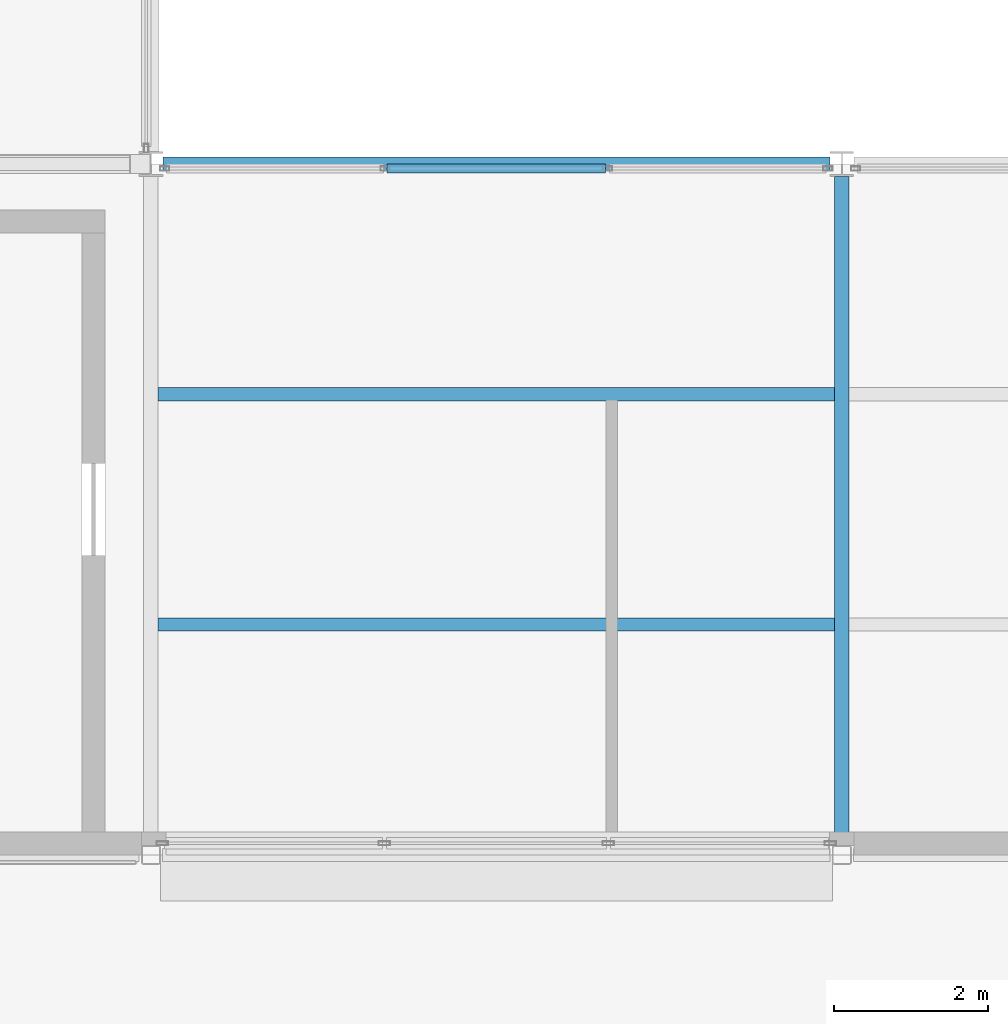
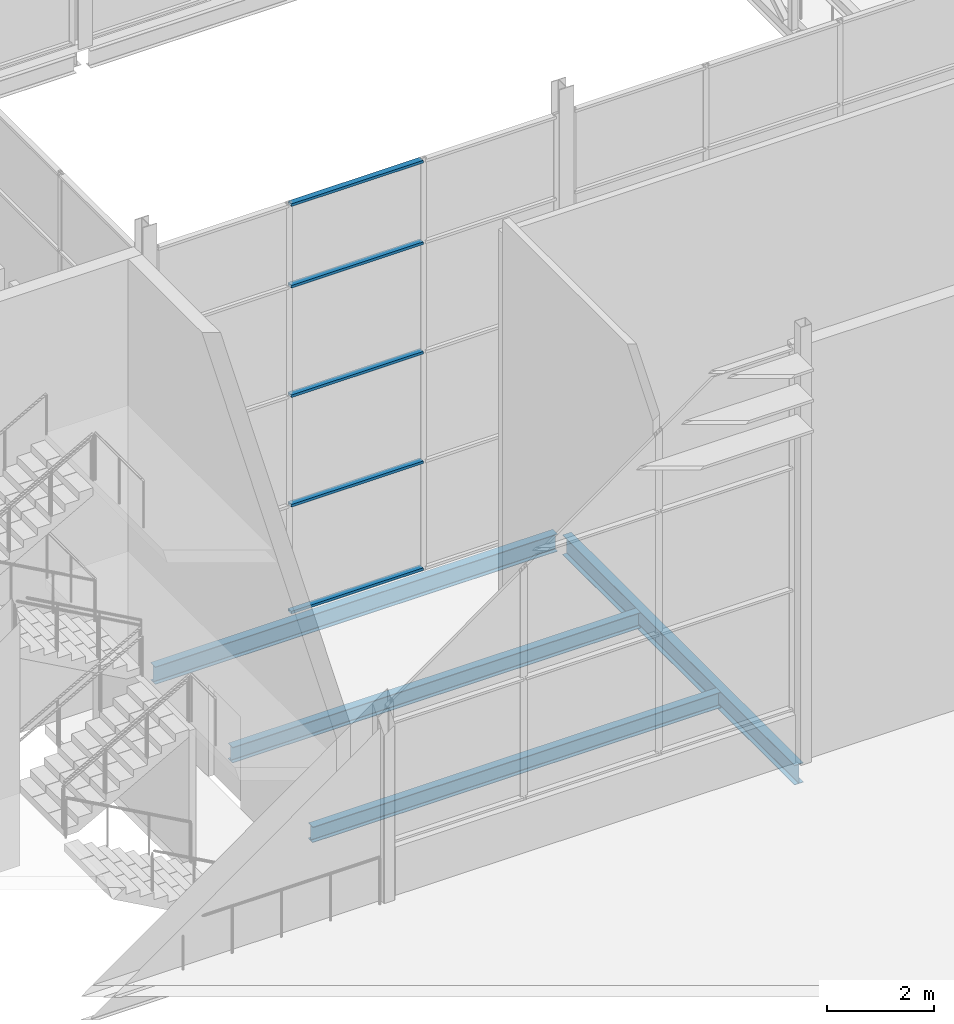
# One storey, part 16 of 111: 5 members, 4 beams, 1 element without a shape of its own.
"""IFC4 building model written with IfcOpenShell, lengths in metres."""

from ifc_helpers import new_model, si_unit, direction, frame, origin, origin_2d, place, context, subcontext, project, spatial, hollow_rectangle, i_section, extrude, material, layer, layer_set, material_profile, profile_set, type_object, element, aggregate, save


model = new_model("IFC4")

# Units and contexts
model_context = context("Model", 3, precision=1e-05, world=origin(), true_north=direction((0.0, 1.0)))
body_context = subcontext(model_context, "Body", "Model", "MODEL_VIEW")
ifc_project = project(units=[si_unit("LENGTHUNIT", "METRE"), si_unit("AREAUNIT", "SQUARE_METRE"), si_unit("VOLUMEUNIT", "CUBIC_METRE"), si_unit("PLANEANGLEUNIT", "RADIAN"), si_unit("MASSUNIT", "GRAM", prefix="KILO")], contexts=[model_context])

# Site, building, storey
site_placement = place(None, origin())
site = spatial("IfcSite", under=ifc_project, at=site_placement, CompositionType="ELEMENT")
building_placement = place(site_placement, origin())
building = spatial("IfcBuilding", under=site, at=building_placement, Name="Shorebreak Coast Museum", CompositionType="ELEMENT")
storey_placement = place(building_placement, frame((0.0, 0.0, 16.0)))
storey = spatial("IfcBuildingStorey", under=building, at=storey_placement, Name="L03", CompositionType="ELEMENT", Elevation=16.0)

# Beams
ifc_material_1 = material(Name="Steel Grade 300", Category="steel")
ifc_material_profile_1 = material_profile(ifc_material_1, i_section(OverallWidth=0.177978515625, OverallDepth=0.402587890625, WebThickness=0.007568359375, FlangeThickness=0.010986328125, FilletRadius=0.011474609375, at=origin_2d()), Name="410UB53.7")
ifc_profile_set_1 = profile_set([ifc_material_profile_1], Name="Steel Grade 300")
beam_type_1 = type_object("IfcBeamType", Name="Floor girder east-west 410UB53.7", PredefinedType="BEAM", material=ifc_profile_set_1)
beam_1_placement = place(storey_placement, frame((63.155517578125, 63.0, -0.376220703125), z_axis=(1.0, 0.0, 0.0), x_axis=(0.0, 1.0, 0.0)))
element("IfcBeam", 1, at=beam_1_placement, inside=storey, type_object=beam_type_1, Name="Floor girder east-west L03 8H", PredefinedType="BEAM", context=body_context, shape_type="SweptSolid", body=[
    extrude(i_section(OverallWidth=0.177978515625, OverallDepth=0.402587890625, WebThickness=0.007568359375, FlangeThickness=0.010986328125, FilletRadius=0.011474609375, at=origin_2d()), origin(), (0.0, 0.0, 1.0), 8.68896484375),
])
ifc_material_2 = material(Name="Steel Grade 300", Category="steel")
ifc_material_profile_2 = material_profile(ifc_material_2, i_section(OverallWidth=0.18994140625, OverallDepth=0.453857421875, WebThickness=0.008544921875, FlangeThickness=0.0126953125, FilletRadius=0.011474609375, at=origin_2d()), Name="460UB67.1")
ifc_profile_set_2 = profile_set([ifc_material_profile_2], Name="Steel Grade 300")
beam_type_2 = type_object("IfcBeamType", Name="Floor girder north-south 460UB67.1", PredefinedType="BEAM", material=ifc_profile_set_2)
beam_2_placement = place(storey_placement, frame((72.0, 54.1572265625, -0.40185546875), z_axis=(0.0, 1.0, 0.0), x_axis=(-1.0, 0.0, 0.0)))
element("IfcBeam", 2, at=beam_2_placement, inside=storey, type_object=beam_type_2, Name="Floor girder north-south L03 9G", PredefinedType="BEAM", context=body_context, shape_type="SweptSolid", body=[
    extrude(i_section(OverallWidth=0.18994140625, OverallDepth=0.453857421875, WebThickness=0.008544921875, FlangeThickness=0.0126953125, FilletRadius=0.011474609375, at=origin_2d()), origin(), (0.0, 0.0, 1.0), 8.67919921875),
])
ifc_material_3 = material(Name="Steel Grade 300", Category="steel")
ifc_material_profile_3 = material_profile(ifc_material_3, i_section(OverallWidth=0.1708984375, OverallDepth=0.355712890625, WebThickness=0.00732421875, FlangeThickness=0.011474609375, FilletRadius=0.011474609375, at=origin_2d()), Name="360UB50.7")
ifc_profile_set_3 = profile_set([ifc_material_profile_3], Name="Steel Grade 300")
beam_type_3 = type_object("IfcBeamType", Name="Floor joist 360UB50.7", PredefinedType="JOIST", material=ifc_profile_set_3)
for number, where, z_axis, x_axis, name in (
    (3, (63.094970703125, 57.0, -0.352783203125), (1.0, 0.0, 0.0), (0.0, 1.0, 0.0), "Floor joist L03 bay 8G at 3000 mm"),
    (4, (63.094970703125, 60.0, -0.352783203125), (1.0, 0.0, 0.0), (0.0, 1.0, 0.0), "Floor joist L03 bay 8G at 6000 mm"),
):
    element("IfcBeam", number, at=place(storey_placement, frame(where, z_axis=z_axis, x_axis=x_axis)), inside=storey, type_object=beam_type_3, Name=name, PredefinedType="JOIST", context=body_context, shape_type="SweptSolid", body=[
        extrude(i_section(OverallWidth=0.1708984375, OverallDepth=0.355712890625, WebThickness=0.00732421875, FlangeThickness=0.011474609375, FilletRadius=0.011474609375, at=origin_2d()), origin(), (0.0, 0.0, 1.0), 8.81005859375),
    ])

# Curtain wall, members
ifc_material_4 = material(Name="Aluminium", Category="aluminium")
ifc_layer = layer(ifc_material_4, 0.1201171875)
ifc_layer_set = layer_set([ifc_layer], Name="Aluminium")
curtain_wall_type = type_object("IfcCurtainWallType", Name="Atrium fire screen", PredefinedType="NOTDEFINED", material=ifc_layer_set)
curtain_wall_placement = place(storey_placement, origin())
curtain_wall = element("IfcCurtainWall", 5, at=curtain_wall_placement, inside=storey, type_object=curtain_wall_type, Name="Atrium screen L03 S 33", PredefinedType="NOTDEFINED")
ifc_material_5 = material(Name="Aluminium", Category="aluminium")
ifc_material_profile_4 = material_profile(ifc_material_5, hollow_rectangle(XDim=0.1201171875, YDim=0.06005859375, WallThickness=0.00341796875, at=origin_2d()), Name="AL 60x120 RHS")
ifc_profile_set_4 = profile_set([ifc_material_profile_4], Name="Aluminium")
member_type = type_object("IfcMemberType", Name="Screen transom 120 x 50", PredefinedType="USERDEFINED", material=ifc_profile_set_4)
member_1_placement = place(storey_placement, frame((66.076416015625, 62.93994140625, 0.06005859375), z_axis=(1.0, 0.0, 0.0), x_axis=(0.0, 1.0, 0.0)))
member_1 = element("IfcMember", 6, at=member_1_placement, type_object=member_type, Name="CW4 transom 2.1", ObjectType="TRANSOM", PredefinedType="USERDEFINED", context=body_context, shape_type="SweptSolid", body=[
    extrude(hollow_rectangle(XDim=0.1201171875, YDim=0.06005859375, WallThickness=0.00341796875, at=origin_2d()), origin(), (0.0, 0.0, 1.0), 2.84716796875),
])
member_2_placement = place(storey_placement, frame((66.076416015625, 62.93994140625, 2.5), z_axis=(1.0, 0.0, 0.0), x_axis=(0.0, 1.0, 0.0)))
member_2 = element("IfcMember", 7, at=member_2_placement, type_object=member_type, Name="CW4 transom 2.2", ObjectType="TRANSOM", PredefinedType="USERDEFINED", context=body_context, shape_type="SweptSolid", body=[
    extrude(hollow_rectangle(XDim=0.1201171875, YDim=0.06005859375, WallThickness=0.00341796875, at=origin_2d()), origin(), (0.0, 0.0, 1.0), 2.84716796875),
])
member_3_placement = place(storey_placement, frame((66.076416015625, 62.93994140625, 5.0), z_axis=(1.0, 0.0, 0.0), x_axis=(0.0, 1.0, 0.0)))
member_3 = element("IfcMember", 8, at=member_3_placement, type_object=member_type, Name="CW4 transom 2.3", ObjectType="TRANSOM", PredefinedType="USERDEFINED", context=body_context, shape_type="SweptSolid", body=[
    extrude(hollow_rectangle(XDim=0.1201171875, YDim=0.06005859375, WallThickness=0.00341796875, at=origin_2d()), origin(), (0.0, 0.0, 1.0), 2.84716796875),
])
member_4_placement = place(storey_placement, frame((66.076416015625, 62.93994140625, 7.5), z_axis=(1.0, 0.0, 0.0), x_axis=(0.0, 1.0, 0.0)))
member_4 = element("IfcMember", 9, at=member_4_placement, type_object=member_type, Name="CW4 transom 2.4", ObjectType="TRANSOM", PredefinedType="USERDEFINED", context=body_context, shape_type="SweptSolid", body=[
    extrude(hollow_rectangle(XDim=0.1201171875, YDim=0.06005859375, WallThickness=0.00341796875, at=origin_2d()), origin(), (0.0, 0.0, 1.0), 2.84716796875),
])
member_5_placement = place(storey_placement, frame((66.076416015625, 62.93994140625, 9.3623046875), z_axis=(1.0, 0.0, 0.0), x_axis=(0.0, 1.0, 0.0)))
member_5 = element("IfcMember", 10, at=member_5_placement, type_object=member_type, Name="CW4 transom 2.5", ObjectType="TRANSOM", PredefinedType="USERDEFINED", context=body_context, shape_type="SweptSolid", body=[
    extrude(hollow_rectangle(XDim=0.1201171875, YDim=0.06005859375, WallThickness=0.00341796875, at=origin_2d()), origin(), (0.0, 0.0, 1.0), 2.84716796875),
])
aggregate(curtain_wall, [member_1, member_2, member_3, member_4, member_5])

save(model, "model.ifc")
